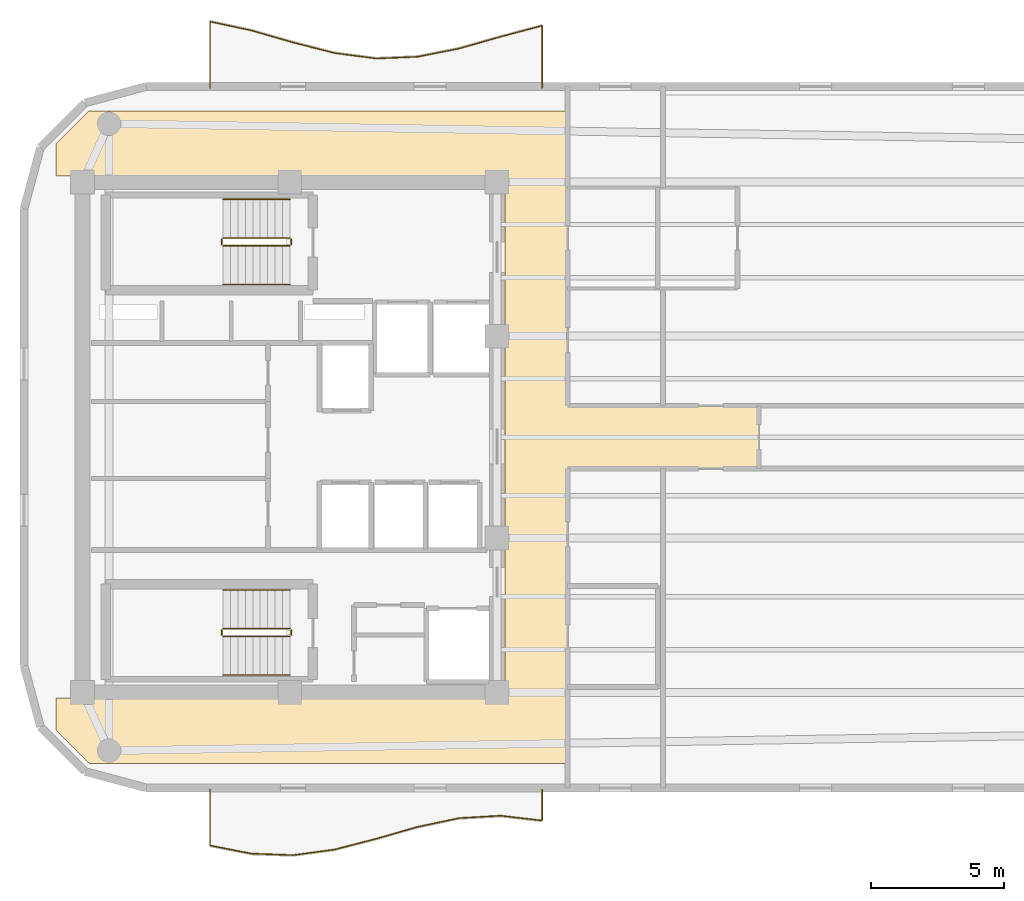
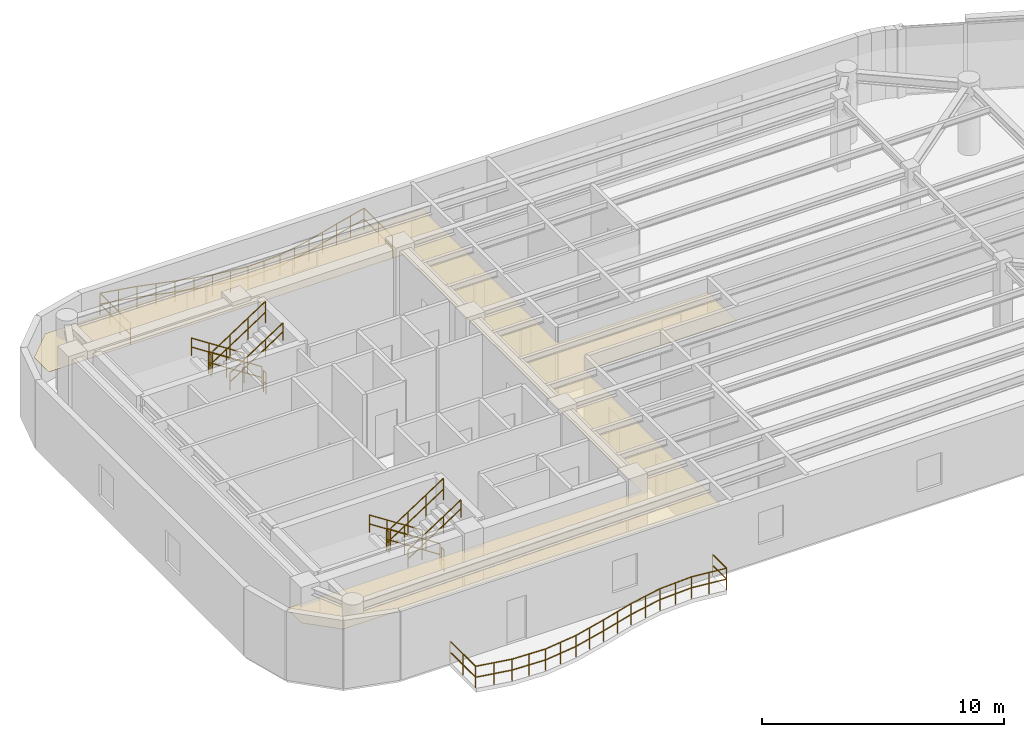
# One storey, part 11 of 12: 14 railings, 1 covering.
"""IFC4 building model written with IfcOpenShell, lengths in metres."""

from ifc_helpers import new_model, si_unit, direction, frame, origin, origin_2d, place, context, subcontext, project, spatial, polyline, circle, outline, extrude, material, layer, layer_set, type_object, element, save


model = new_model("IFC4")

# Units and contexts
model_context = context("Model", 3, precision=1e-05, world=origin(), true_north=direction((0.0, 1.0)))
body_context = subcontext(model_context, "Body", "Model", "MODEL_VIEW")
ifc_project = project(units=[si_unit("LENGTHUNIT", "METRE"), si_unit("AREAUNIT", "SQUARE_METRE"), si_unit("VOLUMEUNIT", "CUBIC_METRE"), si_unit("PLANEANGLEUNIT", "RADIAN"), si_unit("MASSUNIT", "GRAM", prefix="KILO")], contexts=[model_context])

# Site, building, storey
site_placement = place(None, origin())
site = spatial("IfcSite", under=ifc_project, at=site_placement, CompositionType="ELEMENT")
building_placement = place(site_placement, origin())
building = spatial("IfcBuilding", under=site, at=building_placement, Name="An Khanh Terracotta Commons", CompositionType="ELEMENT")
storey_placement = place(building_placement, frame((0.0, 0.0, 269.75)))
storey = spatial("IfcBuildingStorey", under=building, at=storey_placement, Name="L70", CompositionType="ELEMENT", Elevation=269.75)

# Covering
ifc_material_1 = material(Name="Perforated Mineral-Fibre Acoustic Tile")
ifc_layer = layer(ifc_material_1, 0.02001953125, Name="Perforated Mineral-Fibre Acoustic Tile")
ifc_layer_set = layer_set([ifc_layer], Name="Perforated Mineral-Fibre Acoustic Tile")
covering_type = type_object("IfcCoveringType", Name="CEIL-ACOUSTIC-18", PredefinedType="CEILING", material=ifc_layer_set)
covering_placement = place(storey_placement, frame((0.0, 0.0, 2.64990234375)))
element("IfcCovering", 1, at=covering_placement, inside=storey, type_object=covering_type, Name="L70 Corridor Ceiling", PredefinedType="CEILING", context=body_context, shape_type="SweptSolid", body=[
    extrude(outline(polyline([(21.84912109375, 11.719970703125), (20.60009765625, 12.968994140625), (20.60009765625, 14.179931640625), (37.5, 14.179931640625), (37.5, 33.820068359375), (20.60009765625, 33.820068359375), (20.60009765625, 35.031005859375), (21.84912109375, 36.280029296875), (37.5, 36.280029296875), (39.85009765625, 36.280029296875), (39.85009765625, 33.820068359375), (39.85009765625, 25.179931640625), (47.050048828125, 25.179931640625), (47.050048828125, 22.820068359375), (39.85009765625, 22.820068359375), (39.85009765625, 14.179931640625), (39.85009765625, 11.719970703125), (37.5, 11.719970703125), (21.84912109375, 11.719970703125)])), origin(), (0.0, 0.0, 1.0), 0.02001953125),
])

# Railings
ifc_material_2 = material(Name="Brushed Stainless Steel 316", Category="steel")
railing_type_1 = type_object("IfcRailingType", Name="RAIL-BALUSTRADE-1100", PredefinedType="BALUSTRADE", material=ifc_material_2)
railing_1_placement = place(storey_placement, frame((26.39990234375, 10.739990234375, 0.0)))
element("IfcRailing", 2, at=railing_1_placement, inside=storey, type_object=railing_type_1, Name="L70 S Wave Balcony Guard Balustrade", PredefinedType="BALUSTRADE", context=body_context, shape_type="SweptSolid", body=[
    extrude(circle(Radius=0.02392578125, at=origin_2d()), frame((0.0, 0.0, 1.076171875), z_axis=(0.0, -1.0, 0.0), x_axis=(1.0, 0.0, 0.0)), (0.0, 0.0, 1.0), 2.10498046875),
    extrude(circle(Radius=0.02392578125, at=origin_2d()), frame((0.0, 0.0, 0.52587890625), z_axis=(0.0, -1.0, 0.0), x_axis=(1.0, 0.0, 0.0)), (0.0, 0.0, 1.0), 2.10498046875),
    extrude(circle(Radius=0.02392578125, at=origin_2d()), frame((0.0, -2.10498046875, 1.076171875), z_axis=(0.981357451282, -0.192191448336, 0.0), x_axis=(0.192191448336, 0.981357451282, 0.0)), (0.0, 0.0, 1.0), 1.591796875),
    extrude(circle(Radius=0.02392578125, at=origin_2d()), frame((0.0, -2.10498046875, 0.52587890625), z_axis=(0.981357451282, -0.192191448336, 0.0), x_axis=(0.192191448336, 0.981357451282, 0.0)), (0.0, 0.0, 1.0), 1.591796875),
    extrude(circle(Radius=0.02392578125, at=origin_2d()), frame((1.56201171875, -2.410888671875, 1.076171875), z_axis=(0.999332677929, -0.036526686447, 0.0), x_axis=(0.036526686447, 0.999332677929, 0.0)), (0.0, 0.0, 1.0), 1.56396484375),
    extrude(circle(Radius=0.02392578125, at=origin_2d()), frame((1.56201171875, -2.410888671875, 0.52587890625), z_axis=(0.999332677929, -0.036526686447, 0.0), x_axis=(0.036526686447, 0.999332677929, 0.0)), (0.0, 0.0, 1.0), 1.56396484375),
    extrude(circle(Radius=0.02392578125, at=origin_2d()), frame((3.125, -2.468017578125, 1.076171875), z_axis=(0.990922299057, 0.134435848012, 0.0), x_axis=(-0.134435848012, 0.990922299057, 0.0)), (0.0, 0.0, 1.0), 1.576416015625),
    extrude(circle(Radius=0.02392578125, at=origin_2d()), frame((3.125, -2.468017578125, 0.52587890625), z_axis=(0.990922299057, 0.134435848012, 0.0), x_axis=(-0.134435848012, 0.990922299057, 0.0)), (0.0, 0.0, 1.0), 1.576416015625),
    extrude(circle(Radius=0.02392578125, at=origin_2d()), frame((4.68701171875, -2.256103515625, 1.076171875), z_axis=(0.968172188868, 0.250285062883, 0.0), x_axis=(-0.250285062883, 0.968172188868, 0.0)), (0.0, 0.0, 1.0), 1.6142578125),
    extrude(circle(Radius=0.02392578125, at=origin_2d()), frame((4.68701171875, -2.256103515625, 0.52587890625), z_axis=(0.968172188868, 0.250285062883, 0.0), x_axis=(-0.250285062883, 0.968172188868, 0.0)), (0.0, 0.0, 1.0), 1.6142578125),
    extrude(circle(Radius=0.02392578125, at=origin_2d()), frame((6.25, -1.85205078125, 1.076171875), z_axis=(0.961245650832, 0.275693305607, 0.0), x_axis=(-0.275693305607, 0.961245650832, 0.0)), (0.0, 0.0, 1.0), 1.625),
    extrude(circle(Radius=0.02392578125, at=origin_2d()), frame((6.25, -1.85205078125, 0.52587890625), z_axis=(0.961245650832, 0.275693305607, 0.0), x_axis=(-0.275693305607, 0.961245650832, 0.0)), (0.0, 0.0, 1.0), 1.625),
    extrude(circle(Radius=0.02392578125, at=origin_2d()), frame((7.81201171875, -1.404052734375, 1.076171875), z_axis=(0.978419867613, 0.206626626213, 0.0), x_axis=(-0.206626626213, 0.978419867613, 0.0)), (0.0, 0.0, 1.0), 1.597412109375),
    extrude(circle(Radius=0.02392578125, at=origin_2d()), frame((7.81201171875, -1.404052734375, 0.52587890625), z_axis=(0.978419867613, 0.206626626213, 0.0), x_axis=(-0.206626626213, 0.978419867613, 0.0)), (0.0, 0.0, 1.0), 1.597412109375),
    extrude(circle(Radius=0.02392578125, at=origin_2d()), frame((9.375, -1.073974609375, 1.076171875), z_axis=(0.998340976793, 0.057578590253, 0.0), x_axis=(-0.057578590253, 0.998340976793, 0.0)), (0.0, 0.0, 1.0), 1.564697265625),
    extrude(circle(Radius=0.02392578125, at=origin_2d()), frame((9.375, -1.073974609375, 0.52587890625), z_axis=(0.998340976793, 0.057578590253, 0.0), x_axis=(-0.057578590253, 0.998340976793, 0.0)), (0.0, 0.0, 1.0), 1.564697265625),
    extrude(circle(Radius=0.02392578125, at=origin_2d()), frame((10.93701171875, -0.98388671875, 1.076171875), z_axis=(0.99327920167, -0.115742937277, 0.0), x_axis=(0.115742937277, 0.99327920167, 0.0)), (0.0, 0.0, 1.0), 1.573486328125),
    extrude(circle(Radius=0.02392578125, at=origin_2d()), frame((10.93701171875, -0.98388671875, 0.52587890625), z_axis=(0.99327920167, -0.115742937277, 0.0), x_axis=(0.115742937277, 0.99327920167, 0.0)), (0.0, 0.0, 1.0), 1.573486328125),
    extrude(circle(Radius=0.02392578125, at=origin_2d()), frame((12.5, -1.166015625, 1.076171875), z_axis=(0.0, 1.0, 0.0), x_axis=(-1.0, 0.0, 0.0)), (0.0, 0.0, 1.0), 1.166015625),
    extrude(circle(Radius=0.02392578125, at=origin_2d()), frame((12.5, -1.166015625, 0.52587890625), z_axis=(0.0, 1.0, 0.0), x_axis=(-1.0, 0.0, 0.0)), (0.0, 0.0, 1.0), 1.166015625),
    extrude(circle(Radius=0.02099609375, at=origin_2d()), origin(), (0.0, 0.0, 1.0), 1.052001953125),
    extrude(circle(Radius=0.02099609375, at=origin_2d()), frame((0.0, -1.052490234375, 0.0)), (0.0, 0.0, 1.0), 1.052001953125),
    extrude(circle(Radius=0.02099609375, at=origin_2d()), frame((0.0, -2.10498046875, 0.0)), (0.0, 0.0, 1.0), 1.052001953125),
    extrude(circle(Radius=0.02099609375, at=origin_2d()), frame((0.781005859375, -2.2578125, 0.0)), (0.0, 0.0, 1.0), 1.052001953125),
    extrude(circle(Radius=0.02099609375, at=origin_2d()), frame((1.56201171875, -2.410888671875, 0.0)), (0.0, 0.0, 1.0), 1.052001953125),
    extrude(circle(Radius=0.02099609375, at=origin_2d()), frame((2.343505859375, -2.439453125, 0.0)), (0.0, 0.0, 1.0), 1.052001953125),
    extrude(circle(Radius=0.02099609375, at=origin_2d()), frame((3.125, -2.468017578125, 0.0)), (0.0, 0.0, 1.0), 1.052001953125),
    extrude(circle(Radius=0.02099609375, at=origin_2d()), frame((3.906005859375, -2.362060546875, 0.0)), (0.0, 0.0, 1.0), 1.052001953125),
    extrude(circle(Radius=0.02099609375, at=origin_2d()), frame((4.68701171875, -2.256103515625, 0.0)), (0.0, 0.0, 1.0), 1.052001953125),
    extrude(circle(Radius=0.02099609375, at=origin_2d()), frame((5.468505859375, -2.05419921875, 0.0)), (0.0, 0.0, 1.0), 1.052001953125),
    extrude(circle(Radius=0.02099609375, at=origin_2d()), frame((6.25, -1.85205078125, 0.0)), (0.0, 0.0, 1.0), 1.052001953125),
    extrude(circle(Radius=0.02099609375, at=origin_2d()), frame((7.031005859375, -1.6279296875, 0.0)), (0.0, 0.0, 1.0), 1.052001953125),
    extrude(circle(Radius=0.02099609375, at=origin_2d()), frame((7.81201171875, -1.404052734375, 0.0)), (0.0, 0.0, 1.0), 1.052001953125),
    extrude(circle(Radius=0.02099609375, at=origin_2d()), frame((8.593505859375, -1.239013671875, 0.0)), (0.0, 0.0, 1.0), 1.052001953125),
    extrude(circle(Radius=0.02099609375, at=origin_2d()), frame((9.375, -1.073974609375, 0.0)), (0.0, 0.0, 1.0), 1.052001953125),
    extrude(circle(Radius=0.02099609375, at=origin_2d()), frame((10.156005859375, -1.02880859375, 0.0)), (0.0, 0.0, 1.0), 1.052001953125),
    extrude(circle(Radius=0.02099609375, at=origin_2d()), frame((10.93701171875, -0.98388671875, 0.0)), (0.0, 0.0, 1.0), 1.052001953125),
    extrude(circle(Radius=0.02099609375, at=origin_2d()), frame((11.718505859375, -1.074951171875, 0.0)), (0.0, 0.0, 1.0), 1.052001953125),
    extrude(circle(Radius=0.02099609375, at=origin_2d()), frame((12.5, -1.166015625, 0.0)), (0.0, 0.0, 1.0), 1.052001953125),
    extrude(circle(Radius=0.02099609375, at=origin_2d()), frame((12.5, 0.0, 0.0)), (0.0, 0.0, 1.0), 1.052001953125),
])
railing_2_placement = place(storey_placement, frame((38.89990234375, 37.139892578125, 0.0)))
element("IfcRailing", 3, at=railing_2_placement, inside=storey, type_object=railing_type_1, Name="L70 N Wave Balcony Guard Balustrade", PredefinedType="BALUSTRADE", context=body_context, shape_type="SweptSolid", body=[
    extrude(circle(Radius=0.02392578125, at=origin_2d()), frame((0.0, 0.0, 1.076171875), z_axis=(0.0, 1.0, 0.0), x_axis=(-1.0, 0.0, 0.0)), (0.0, 0.0, 1.0), 2.34521484375),
    extrude(circle(Radius=0.02392578125, at=origin_2d()), frame((0.0, 0.0, 0.52587890625), z_axis=(0.0, 1.0, 0.0), x_axis=(-1.0, 0.0, 0.0)), (0.0, 0.0, 1.0), 2.34521484375),
    extrude(circle(Radius=0.02392578125, at=origin_2d()), frame((0.0, 2.34521484375, 1.076171875), z_axis=(-0.96650502373, -0.256647694524, 0.0), x_axis=(0.256647694524, -0.96650502373, 0.0)), (0.0, 0.0, 1.0), 1.6171875),
    extrude(circle(Radius=0.02392578125, at=origin_2d()), frame((0.0, 2.34521484375, 0.52587890625), z_axis=(-0.96650502373, -0.256647694524, 0.0), x_axis=(0.256647694524, -0.96650502373, 0.0)), (0.0, 0.0, 1.0), 1.6171875),
    extrude(circle(Radius=0.02392578125, at=origin_2d()), frame((-1.56298828125, 1.93017578125, 1.076171875), z_axis=(-0.961880547912, -0.273469946335, 0.0), x_axis=(0.273469946335, -0.961880547912, 0.0)), (0.0, 0.0, 1.0), 1.6240234375),
    extrude(circle(Radius=0.02392578125, at=origin_2d()), frame((-1.56298828125, 1.93017578125, 0.52587890625), z_axis=(-0.961880547912, -0.273469946335, 0.0), x_axis=(0.273469946335, -0.961880547912, 0.0)), (0.0, 0.0, 1.0), 1.6240234375),
    extrude(circle(Radius=0.02392578125, at=origin_2d()), frame((-3.125, 1.486083984375, 1.076171875), z_axis=(-0.980768772957, -0.195173292213, 0.0), x_axis=(0.195173292213, -0.980768772957, 0.0)), (0.0, 0.0, 1.0), 1.59375),
    extrude(circle(Radius=0.02392578125, at=origin_2d()), frame((-3.125, 1.486083984375, 0.52587890625), z_axis=(-0.980768772957, -0.195173292213, 0.0), x_axis=(0.195173292213, -0.980768772957, 0.0)), (0.0, 0.0, 1.0), 1.59375),
    extrude(circle(Radius=0.02392578125, at=origin_2d()), frame((-4.68798828125, 1.175048828125, 1.076171875), z_axis=(-0.999136858027, -0.041539606789, 0.0), x_axis=(0.041539606789, -0.999136858027, 0.0)), (0.0, 0.0, 1.0), 1.5634765625),
    extrude(circle(Radius=0.02392578125, at=origin_2d()), frame((-4.68798828125, 1.175048828125, 0.52587890625), z_axis=(-0.999136858027, -0.041539606789, 0.0), x_axis=(0.041539606789, -0.999136858027, 0.0)), (0.0, 0.0, 1.0), 1.5634765625),
    extrude(circle(Radius=0.02392578125, at=origin_2d()), frame((-6.25, 1.110107421875, 1.076171875), z_axis=(-0.991501672581, 0.13009394017, 0.0), x_axis=(-0.13009394017, -0.991501672581, 0.0)), (0.0, 0.0, 1.0), 1.576416015625),
    extrude(circle(Radius=0.02392578125, at=origin_2d()), frame((-6.25, 1.110107421875, 0.52587890625), z_axis=(-0.991501672581, 0.13009394017, 0.0), x_axis=(-0.13009394017, -0.991501672581, 0.0)), (0.0, 0.0, 1.0), 1.576416015625),
    extrude(circle(Radius=0.02392578125, at=origin_2d()), frame((-7.81298828125, 1.315185546875, 1.076171875), z_axis=(-0.968609674166, 0.248586602842, 0.0), x_axis=(-0.248586602842, -0.968609674166, 0.0)), (0.0, 0.0, 1.0), 1.612548828125),
    extrude(circle(Radius=0.02392578125, at=origin_2d()), frame((-7.81298828125, 1.315185546875, 0.52587890625), z_axis=(-0.968609674166, 0.248586602842, 0.0), x_axis=(-0.248586602842, -0.968609674166, 0.0)), (0.0, 0.0, 1.0), 1.612548828125),
    extrude(circle(Radius=0.02392578125, at=origin_2d()), frame((-9.375, 1.716064453125, 1.076171875), z_axis=(-0.961132069799, 0.276089015364, 0.0), x_axis=(-0.276089015364, -0.961132069799, 0.0)), (0.0, 0.0, 1.0), 1.626220703125),
    extrude(circle(Radius=0.02392578125, at=origin_2d()), frame((-9.375, 1.716064453125, 0.52587890625), z_axis=(-0.961132069799, 0.276089015364, 0.0), x_axis=(-0.276089015364, -0.961132069799, 0.0)), (0.0, 0.0, 1.0), 1.626220703125),
    extrude(circle(Radius=0.02392578125, at=origin_2d()), frame((-10.93798828125, 2.1650390625, 1.076171875), z_axis=(-0.977771092777, 0.209675201514, 0.0), x_axis=(-0.209675201514, -0.977771092777, 0.0)), (0.0, 0.0, 1.0), 1.597412109375),
    extrude(circle(Radius=0.02392578125, at=origin_2d()), frame((-10.93798828125, 2.1650390625, 0.52587890625), z_axis=(-0.977771092777, 0.209675201514, 0.0), x_axis=(-0.209675201514, -0.977771092777, 0.0)), (0.0, 0.0, 1.0), 1.597412109375),
    extrude(circle(Radius=0.02392578125, at=origin_2d()), frame((-12.5, 2.5, 1.076171875), z_axis=(0.0, -1.0, 0.0), x_axis=(1.0, 0.0, 0.0)), (0.0, 0.0, 1.0), 2.5),
    extrude(circle(Radius=0.02392578125, at=origin_2d()), frame((-12.5, 2.5, 0.52587890625), z_axis=(0.0, -1.0, 0.0), x_axis=(1.0, 0.0, 0.0)), (0.0, 0.0, 1.0), 2.5),
    extrude(circle(Radius=0.02099609375, at=origin_2d()), origin(), (0.0, 0.0, 1.0), 1.052001953125),
    extrude(circle(Radius=0.02099609375, at=origin_2d()), frame((0.0, 1.172607421875, 0.0)), (0.0, 0.0, 1.0), 1.052001953125),
    extrude(circle(Radius=0.02099609375, at=origin_2d()), frame((0.0, 2.34521484375, 0.0)), (0.0, 0.0, 1.0), 1.052001953125),
    extrude(circle(Radius=0.02099609375, at=origin_2d()), frame((-0.781494140625, 2.1376953125, 0.0)), (0.0, 0.0, 1.0), 1.052001953125),
    extrude(circle(Radius=0.02099609375, at=origin_2d()), frame((-1.56298828125, 1.93017578125, 0.0)), (0.0, 0.0, 1.0), 1.052001953125),
    extrude(circle(Radius=0.02099609375, at=origin_2d()), frame((-2.343994140625, 1.7080078125, 0.0)), (0.0, 0.0, 1.0), 1.052001953125),
    extrude(circle(Radius=0.02099609375, at=origin_2d()), frame((-3.125, 1.486083984375, 0.0)), (0.0, 0.0, 1.0), 1.052001953125),
    extrude(circle(Radius=0.02099609375, at=origin_2d()), frame((-3.906494140625, 1.33056640625, 0.0)), (0.0, 0.0, 1.0), 1.052001953125),
    extrude(circle(Radius=0.02099609375, at=origin_2d()), frame((-4.68798828125, 1.175048828125, 0.0)), (0.0, 0.0, 1.0), 1.052001953125),
    extrude(circle(Radius=0.02099609375, at=origin_2d()), frame((-5.468994140625, 1.142578125, 0.0)), (0.0, 0.0, 1.0), 1.052001953125),
    extrude(circle(Radius=0.02099609375, at=origin_2d()), frame((-6.25, 1.110107421875, 0.0)), (0.0, 0.0, 1.0), 1.052001953125),
    extrude(circle(Radius=0.02099609375, at=origin_2d()), frame((-7.031494140625, 1.212646484375, 0.0)), (0.0, 0.0, 1.0), 1.052001953125),
    extrude(circle(Radius=0.02099609375, at=origin_2d()), frame((-7.81298828125, 1.315185546875, 0.0)), (0.0, 0.0, 1.0), 1.052001953125),
    extrude(circle(Radius=0.02099609375, at=origin_2d()), frame((-8.593994140625, 1.515625, 0.0)), (0.0, 0.0, 1.0), 1.052001953125),
    extrude(circle(Radius=0.02099609375, at=origin_2d()), frame((-9.375, 1.716064453125, 0.0)), (0.0, 0.0, 1.0), 1.052001953125),
    extrude(circle(Radius=0.02099609375, at=origin_2d()), frame((-10.156494140625, 1.9404296875, 0.0)), (0.0, 0.0, 1.0), 1.052001953125),
    extrude(circle(Radius=0.02099609375, at=origin_2d()), frame((-10.93798828125, 2.1650390625, 0.0)), (0.0, 0.0, 1.0), 1.052001953125),
    extrude(circle(Radius=0.02099609375, at=origin_2d()), frame((-11.718994140625, 2.33251953125, 0.0)), (0.0, 0.0, 1.0), 1.052001953125),
    extrude(circle(Radius=0.02099609375, at=origin_2d()), frame((-12.5, 2.5, 0.0)), (0.0, 0.0, 1.0), 1.052001953125),
    extrude(circle(Radius=0.02099609375, at=origin_2d()), frame((-12.5, 1.666748046875, 0.0)), (0.0, 0.0, 1.0), 1.052001953125),
    extrude(circle(Radius=0.02099609375, at=origin_2d()), frame((-12.5, 0.833251953125, 0.0)), (0.0, 0.0, 1.0), 1.052001953125),
    extrude(circle(Radius=0.02099609375, at=origin_2d()), frame((-12.5, 0.0, 0.0)), (0.0, 0.0, 1.0), 1.052001953125),
])
railing_type_2 = type_object("IfcRailingType", Name="RAIL-HANDRAIL-900", PredefinedType="HANDRAIL", material=ifc_material_2)
railing_3_placement = place(storey_placement, frame((29.409912109375, 32.949951171875, 0.1826171875)))
element("IfcRailing", 4, at=railing_3_placement, inside=storey, type_object=railing_type_2, Name="L70 ST-01 stair handrail 1", PredefinedType="HANDRAIL", context=body_context, shape_type="SweptSolid", body=[
    extrude(circle(Radius=0.02392578125, at=origin_2d()), frame((0.0, 0.0, 0.8759765625), z_axis=(-0.837786554691, 0.0, 0.545997883492), x_axis=(0.0, -1.0, 0.0)), (0.0, 0.0, 1.0), 3.008056640625),
    extrude(circle(Radius=0.02392578125, at=origin_2d()), frame((0.0, 0.0, 0.42578125), z_axis=(-0.837786554691, 0.0, 0.545997883492), x_axis=(0.0, -1.0, 0.0)), (0.0, 0.0, 1.0), 3.008056640625),
    extrude(circle(Radius=0.02099609375, at=origin_2d()), origin(), (0.0, 0.0, 1.0), 0.851806640625),
    extrude(circle(Radius=0.02099609375, at=origin_2d()), frame((-0.840087890625, 0.0, 0.54736328125)), (0.0, 0.0, 1.0), 0.851806640625),
    extrude(circle(Radius=0.02099609375, at=origin_2d()), frame((-1.679931640625, 0.0, 1.094970703125)), (0.0, 0.0, 1.0), 0.851806640625),
    extrude(circle(Radius=0.02099609375, at=origin_2d()), frame((-2.52001953125, 0.0, 1.642333984375)), (0.0, 0.0, 1.0), 0.851806640625),
])
railing_4_placement = place(storey_placement, frame((26.889892578125, 29.75, 2.007568359375)))
element("IfcRailing", 5, at=railing_4_placement, inside=storey, type_object=railing_type_2, Name="L70 ST-01 stair handrail 2", PredefinedType="HANDRAIL", context=body_context, shape_type="SweptSolid", body=[
    extrude(circle(Radius=0.02392578125, at=origin_2d()), frame((0.0, 0.0, 0.8759765625), z_axis=(0.837786554691, 0.0, 0.545997883492), x_axis=(0.0, 1.0, 0.0)), (0.0, 0.0, 1.0), 3.008056640625),
    extrude(circle(Radius=0.02392578125, at=origin_2d()), frame((0.0, 0.0, 0.42578125), z_axis=(0.837786554691, 0.0, 0.545997883492), x_axis=(0.0, 1.0, 0.0)), (0.0, 0.0, 1.0), 3.008056640625),
    extrude(circle(Radius=0.02099609375, at=origin_2d()), origin(), (0.0, 0.0, 1.0), 0.851806640625),
    extrude(circle(Radius=0.02099609375, at=origin_2d()), frame((0.840087890625, 0.0, 0.54736328125)), (0.0, 0.0, 1.0), 0.851806640625),
    extrude(circle(Radius=0.02099609375, at=origin_2d()), frame((1.679931640625, 0.0, 1.094970703125)), (0.0, 0.0, 1.0), 0.851806640625),
    extrude(circle(Radius=0.02099609375, at=origin_2d()), frame((2.52001953125, 0.0, 1.642333984375)), (0.0, 0.0, 1.0), 0.851806640625),
])
railing_5_placement = place(storey_placement, frame((29.409912109375, 18.25, 0.1826171875)))
element("IfcRailing", 6, at=railing_5_placement, inside=storey, type_object=railing_type_2, Name="L70 ST-02 stair handrail 1", PredefinedType="HANDRAIL", context=body_context, shape_type="SweptSolid", body=[
    extrude(circle(Radius=0.02392578125, at=origin_2d()), frame((0.0, 0.0, 0.8759765625), z_axis=(-0.837786554691, 0.0, 0.545997883492), x_axis=(0.0, -1.0, 0.0)), (0.0, 0.0, 1.0), 3.008056640625),
    extrude(circle(Radius=0.02392578125, at=origin_2d()), frame((0.0, 0.0, 0.42578125), z_axis=(-0.837786554691, 0.0, 0.545997883492), x_axis=(0.0, -1.0, 0.0)), (0.0, 0.0, 1.0), 3.008056640625),
    extrude(circle(Radius=0.02099609375, at=origin_2d()), origin(), (0.0, 0.0, 1.0), 0.851806640625),
    extrude(circle(Radius=0.02099609375, at=origin_2d()), frame((-0.840087890625, 0.0, 0.54736328125)), (0.0, 0.0, 1.0), 0.851806640625),
    extrude(circle(Radius=0.02099609375, at=origin_2d()), frame((-1.679931640625, 0.0, 1.094970703125)), (0.0, 0.0, 1.0), 0.851806640625),
    extrude(circle(Radius=0.02099609375, at=origin_2d()), frame((-2.52001953125, 0.0, 1.642333984375)), (0.0, 0.0, 1.0), 0.851806640625),
])
railing_6_placement = place(storey_placement, frame((26.889892578125, 15.050048828125, 2.007568359375)))
element("IfcRailing", 7, at=railing_6_placement, inside=storey, type_object=railing_type_2, Name="L70 ST-02 stair handrail 2", PredefinedType="HANDRAIL", context=body_context, shape_type="SweptSolid", body=[
    extrude(circle(Radius=0.02392578125, at=origin_2d()), frame((0.0, 0.0, 0.8759765625), z_axis=(0.837786554691, 0.0, 0.545997883492), x_axis=(0.0, 1.0, 0.0)), (0.0, 0.0, 1.0), 3.008056640625),
    extrude(circle(Radius=0.02392578125, at=origin_2d()), frame((0.0, 0.0, 0.42578125), z_axis=(0.837786554691, 0.0, 0.545997883492), x_axis=(0.0, 1.0, 0.0)), (0.0, 0.0, 1.0), 3.008056640625),
    extrude(circle(Radius=0.02099609375, at=origin_2d()), origin(), (0.0, 0.0, 1.0), 0.851806640625),
    extrude(circle(Radius=0.02099609375, at=origin_2d()), frame((0.840087890625, 0.0, 0.54736328125)), (0.0, 0.0, 1.0), 0.851806640625),
    extrude(circle(Radius=0.02099609375, at=origin_2d()), frame((1.679931640625, 0.0, 1.094970703125)), (0.0, 0.0, 1.0), 0.851806640625),
    extrude(circle(Radius=0.02099609375, at=origin_2d()), frame((2.52001953125, 0.0, 1.642333984375)), (0.0, 0.0, 1.0), 0.851806640625),
])
ifc_material_3 = material(Name="Powder-Coated Steel S355J2", Category="steel")
railing_type_3 = type_object("IfcRailingType", Name="RAIL-STAIR-GUARD-1100", PredefinedType="BALUSTRADE", material=ifc_material_3)
railing_7_placement = place(storey_placement, frame((29.409912109375, 31.5, 0.1826171875)))
element("IfcRailing", 8, at=railing_7_placement, inside=storey, type_object=railing_type_3, Name="L70 ST-01 stair guard 1", PredefinedType="BALUSTRADE", context=body_context, shape_type="SweptSolid", body=[
    extrude(circle(Radius=0.02392578125, at=origin_2d()), frame((0.0, 0.0, 1.076171875), z_axis=(-0.837786554691, 0.0, 0.545997883492), x_axis=(0.0, -1.0, 0.0)), (0.0, 0.0, 1.0), 3.008056640625),
    extrude(circle(Radius=0.02392578125, at=origin_2d()), frame((0.0, 0.0, 0.52587890625), z_axis=(-0.837786554691, 0.0, 0.545997883492), x_axis=(0.0, -1.0, 0.0)), (0.0, 0.0, 1.0), 3.008056640625),
    extrude(circle(Radius=0.02099609375, at=origin_2d()), origin(), (0.0, 0.0, 1.0), 1.052001953125),
    extrude(circle(Radius=0.02099609375, at=origin_2d()), frame((-0.840087890625, 0.0, 0.54736328125)), (0.0, 0.0, 1.0), 1.052001953125),
    extrude(circle(Radius=0.02099609375, at=origin_2d()), frame((-1.679931640625, 0.0, 1.094970703125)), (0.0, 0.0, 1.0), 1.052001953125),
    extrude(circle(Radius=0.02099609375, at=origin_2d()), frame((-2.52001953125, 0.0, 1.642333984375)), (0.0, 0.0, 1.0), 1.052001953125),
])
railing_8_placement = place(storey_placement, frame((26.840087890625, 31.449951171875, 1.824951171875)))
element("IfcRailing", 9, at=railing_8_placement, inside=storey, type_object=railing_type_3, Name="L70 ST-01 stair guard 2", PredefinedType="BALUSTRADE", context=body_context, shape_type="SweptSolid", body=[
    extrude(circle(Radius=0.02392578125, at=origin_2d()), frame((0.0, 0.0, 1.076171875), z_axis=(0.0, -1.0, 0.0), x_axis=(1.0, 0.0, 0.0)), (0.0, 0.0, 1.0), 0.199951171875),
    extrude(circle(Radius=0.02392578125, at=origin_2d()), frame((0.0, 0.0, 0.52587890625), z_axis=(0.0, -1.0, 0.0), x_axis=(1.0, 0.0, 0.0)), (0.0, 0.0, 1.0), 0.199951171875),
    extrude(circle(Radius=0.02099609375, at=origin_2d()), origin(), (0.0, 0.0, 1.0), 1.052001953125),
    extrude(circle(Radius=0.02099609375, at=origin_2d()), frame((0.0, -0.199951171875, 0.0)), (0.0, 0.0, 1.0), 1.052001953125),
])
railing_9_placement = place(storey_placement, frame((26.889892578125, 31.199951171875, 2.007568359375)))
element("IfcRailing", 10, at=railing_9_placement, inside=storey, type_object=railing_type_3, Name="L70 ST-01 stair guard 3", PredefinedType="BALUSTRADE", context=body_context, shape_type="SweptSolid", body=[
    extrude(circle(Radius=0.02392578125, at=origin_2d()), frame((0.0, 0.0, 1.076171875), z_axis=(0.837786554691, 0.0, 0.545997883492), x_axis=(0.0, 1.0, 0.0)), (0.0, 0.0, 1.0), 3.008056640625),
    extrude(circle(Radius=0.02392578125, at=origin_2d()), frame((0.0, 0.0, 0.52587890625), z_axis=(0.837786554691, 0.0, 0.545997883492), x_axis=(0.0, 1.0, 0.0)), (0.0, 0.0, 1.0), 3.008056640625),
    extrude(circle(Radius=0.02099609375, at=origin_2d()), origin(), (0.0, 0.0, 1.0), 1.052001953125),
    extrude(circle(Radius=0.02099609375, at=origin_2d()), frame((0.840087890625, 0.0, 0.54736328125)), (0.0, 0.0, 1.0), 1.052001953125),
    extrude(circle(Radius=0.02099609375, at=origin_2d()), frame((1.679931640625, 0.0, 1.094970703125)), (0.0, 0.0, 1.0), 1.052001953125),
    extrude(circle(Radius=0.02099609375, at=origin_2d()), frame((2.52001953125, 0.0, 1.642333984375)), (0.0, 0.0, 1.0), 1.052001953125),
])
railing_10_placement = place(storey_placement, frame((29.4599609375, 31.449951171875, 0.0)))
element("IfcRailing", 11, at=railing_10_placement, inside=storey, type_object=railing_type_3, Name="L70 ST-01 stair guard 4", PredefinedType="BALUSTRADE", context=body_context, shape_type="SweptSolid", body=[
    extrude(circle(Radius=0.02392578125, at=origin_2d()), frame((0.0, 0.0, 1.076171875), z_axis=(0.0, -1.0, 0.0), x_axis=(1.0, 0.0, 0.0)), (0.0, 0.0, 1.0), 0.199951171875),
    extrude(circle(Radius=0.02392578125, at=origin_2d()), frame((0.0, 0.0, 0.52587890625), z_axis=(0.0, -1.0, 0.0), x_axis=(1.0, 0.0, 0.0)), (0.0, 0.0, 1.0), 0.199951171875),
    extrude(circle(Radius=0.02099609375, at=origin_2d()), origin(), (0.0, 0.0, 1.0), 1.052001953125),
    extrude(circle(Radius=0.02099609375, at=origin_2d()), frame((0.0, -0.199951171875, 0.0)), (0.0, 0.0, 1.0), 1.052001953125),
])
railing_11_placement = place(storey_placement, frame((29.409912109375, 16.800048828125, 0.1826171875)))
element("IfcRailing", 12, at=railing_11_placement, inside=storey, type_object=railing_type_3, Name="L70 ST-02 stair guard 1", PredefinedType="BALUSTRADE", context=body_context, shape_type="SweptSolid", body=[
    extrude(circle(Radius=0.02392578125, at=origin_2d()), frame((0.0, 0.0, 1.076171875), z_axis=(-0.837786554691, 0.0, 0.545997883492), x_axis=(0.0, -1.0, 0.0)), (0.0, 0.0, 1.0), 3.008056640625),
    extrude(circle(Radius=0.02392578125, at=origin_2d()), frame((0.0, 0.0, 0.52587890625), z_axis=(-0.837786554691, 0.0, 0.545997883492), x_axis=(0.0, -1.0, 0.0)), (0.0, 0.0, 1.0), 3.008056640625),
    extrude(circle(Radius=0.02099609375, at=origin_2d()), origin(), (0.0, 0.0, 1.0), 1.052001953125),
    extrude(circle(Radius=0.02099609375, at=origin_2d()), frame((-0.840087890625, 0.0, 0.54736328125)), (0.0, 0.0, 1.0), 1.052001953125),
    extrude(circle(Radius=0.02099609375, at=origin_2d()), frame((-1.679931640625, 0.0, 1.094970703125)), (0.0, 0.0, 1.0), 1.052001953125),
    extrude(circle(Radius=0.02099609375, at=origin_2d()), frame((-2.52001953125, 0.0, 1.642333984375)), (0.0, 0.0, 1.0), 1.052001953125),
])
railing_12_placement = place(storey_placement, frame((26.840087890625, 16.75, 1.824951171875)))
element("IfcRailing", 13, at=railing_12_placement, inside=storey, type_object=railing_type_3, Name="L70 ST-02 stair guard 2", PredefinedType="BALUSTRADE", context=body_context, shape_type="SweptSolid", body=[
    extrude(circle(Radius=0.02392578125, at=origin_2d()), frame((0.0, 0.0, 1.076171875), z_axis=(0.0, -1.0, 0.0), x_axis=(1.0, 0.0, 0.0)), (0.0, 0.0, 1.0), 0.199951171875),
    extrude(circle(Radius=0.02392578125, at=origin_2d()), frame((0.0, 0.0, 0.52587890625), z_axis=(0.0, -1.0, 0.0), x_axis=(1.0, 0.0, 0.0)), (0.0, 0.0, 1.0), 0.199951171875),
    extrude(circle(Radius=0.02099609375, at=origin_2d()), origin(), (0.0, 0.0, 1.0), 1.052001953125),
    extrude(circle(Radius=0.02099609375, at=origin_2d()), frame((0.0, -0.199951171875, 0.0)), (0.0, 0.0, 1.0), 1.052001953125),
])
railing_13_placement = place(storey_placement, frame((26.889892578125, 16.5, 2.007568359375)))
element("IfcRailing", 14, at=railing_13_placement, inside=storey, type_object=railing_type_3, Name="L70 ST-02 stair guard 3", PredefinedType="BALUSTRADE", context=body_context, shape_type="SweptSolid", body=[
    extrude(circle(Radius=0.02392578125, at=origin_2d()), frame((0.0, 0.0, 1.076171875), z_axis=(0.837786554691, 0.0, 0.545997883492), x_axis=(0.0, 1.0, 0.0)), (0.0, 0.0, 1.0), 3.008056640625),
    extrude(circle(Radius=0.02392578125, at=origin_2d()), frame((0.0, 0.0, 0.52587890625), z_axis=(0.837786554691, 0.0, 0.545997883492), x_axis=(0.0, 1.0, 0.0)), (0.0, 0.0, 1.0), 3.008056640625),
    extrude(circle(Radius=0.02099609375, at=origin_2d()), origin(), (0.0, 0.0, 1.0), 1.052001953125),
    extrude(circle(Radius=0.02099609375, at=origin_2d()), frame((0.840087890625, 0.0, 0.54736328125)), (0.0, 0.0, 1.0), 1.052001953125),
    extrude(circle(Radius=0.02099609375, at=origin_2d()), frame((1.679931640625, 0.0, 1.094970703125)), (0.0, 0.0, 1.0), 1.052001953125),
    extrude(circle(Radius=0.02099609375, at=origin_2d()), frame((2.52001953125, 0.0, 1.642333984375)), (0.0, 0.0, 1.0), 1.052001953125),
])
railing_14_placement = place(storey_placement, frame((29.4599609375, 16.75, 0.0)))
element("IfcRailing", 15, at=railing_14_placement, inside=storey, type_object=railing_type_3, Name="L70 ST-02 stair guard 4", PredefinedType="BALUSTRADE", context=body_context, shape_type="SweptSolid", body=[
    extrude(circle(Radius=0.02392578125, at=origin_2d()), frame((0.0, 0.0, 1.076171875), z_axis=(0.0, -1.0, 0.0), x_axis=(1.0, 0.0, 0.0)), (0.0, 0.0, 1.0), 0.199951171875),
    extrude(circle(Radius=0.02392578125, at=origin_2d()), frame((0.0, 0.0, 0.52587890625), z_axis=(0.0, -1.0, 0.0), x_axis=(1.0, 0.0, 0.0)), (0.0, 0.0, 1.0), 0.199951171875),
    extrude(circle(Radius=0.02099609375, at=origin_2d()), origin(), (0.0, 0.0, 1.0), 1.052001953125),
    extrude(circle(Radius=0.02099609375, at=origin_2d()), frame((0.0, -0.199951171875, 0.0)), (0.0, 0.0, 1.0), 1.052001953125),
])

save(model, "model.ifc")
